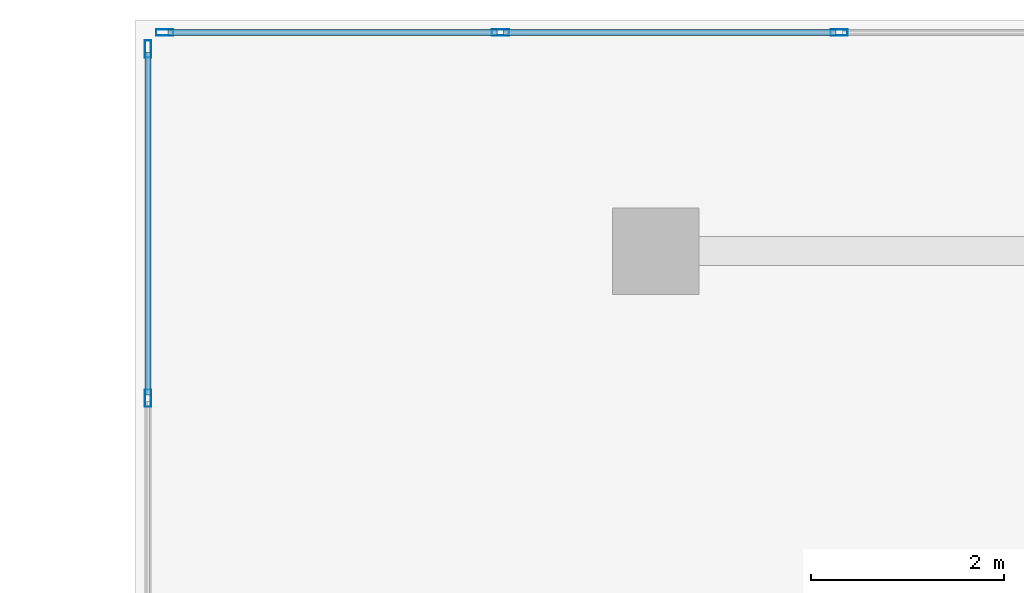
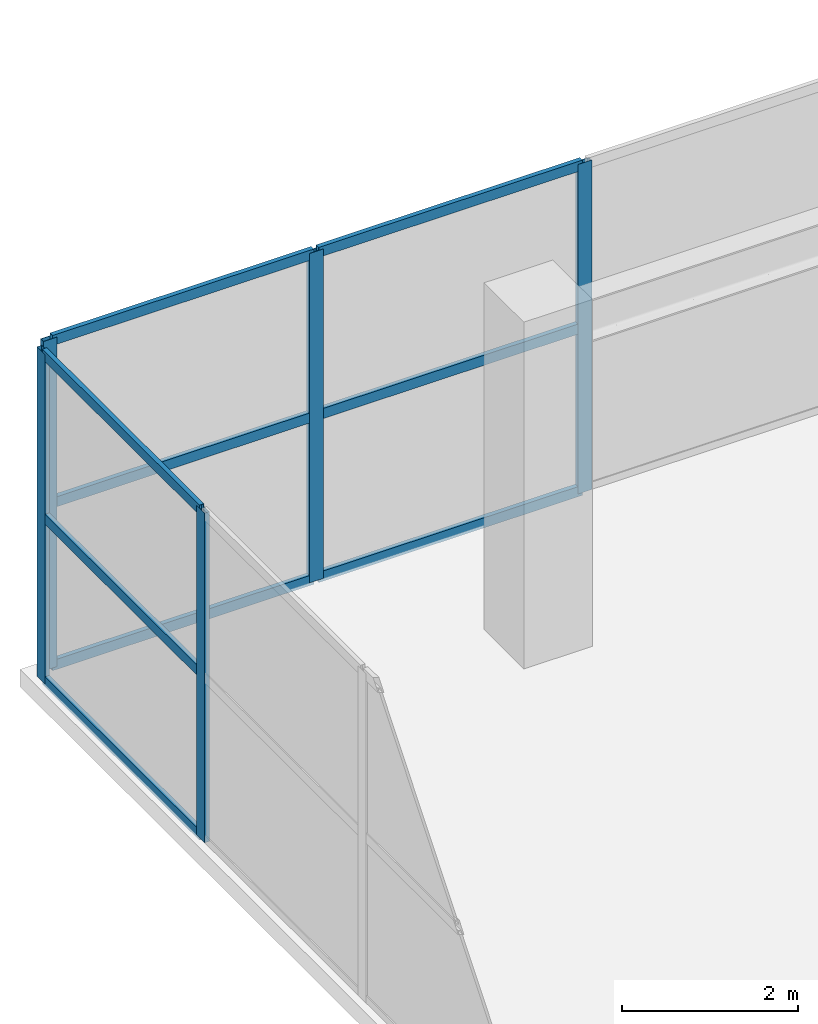
# One storey, part 11 of 31: 14 members, 2 elements without a shape of their own.
"""IFC4 building model written with IfcOpenShell, lengths in metres."""

import ifcopenshell
import ifcopenshell.guid

model = None  # the IFC model being written
_history = None  # IfcOwnerHistory: only IFC2X3 demands one
_inside = {}  # id of a spatial element -> (the spatial element, [elements in it])
_under = {}  # id of a project, library or spatial element -> (it, [spatial elements below it])
_declared = {}  # id of a project -> (the project, [libraries it declares])
_typed = {}  # id of a type object -> (the type object, [elements of that type])
_made_of = {}  # id of a material, layer set ... -> (it, [elements and type objects made of it])


def new_model(schema):
    """Start an empty IFC model of exactly this schema.

    Asked for "IFC4X3", IfcOpenShell would pick the latest addendum, in which some entities
    have other attributes; the version numbers below select the first issue.
    IFC2X3 requires an IfcOwnerHistory on every rooted entity: one is made here for all.
    """
    global model, _history
    if schema == "IFC4X3":
        model = ifcopenshell.file(schema_version=(4, 3, 0, 0))
    else:
        model = ifcopenshell.file(schema=schema)
    _inside.clear()
    _under.clear()
    _declared.clear()
    _typed.clear()
    _made_of.clear()
    _history = None
    if model.schema == "IFC2X3":
        org = make("IfcOrganization", Name="unknown")
        user = make(
            "IfcPersonAndOrganization",
            ThePerson=make("IfcPerson", FamilyName="unknown"),
            TheOrganization=org,
        )
        app = make(
            "IfcApplication",
            ApplicationDeveloper=org,
            Version="unknown",
            ApplicationFullName="unknown",
            ApplicationIdentifier="unknown",
        )
        _history = make(
            "IfcOwnerHistory",
            OwningUser=user,
            OwningApplication=app,
            ChangeAction="ADDED",
            CreationDate=0,
        )
    return model


def make(cls, **values):
    """One entity of the class cls with the attributes given. An attribute that is None is left unset."""
    return model.create_entity(
        cls, **{name: value for name, value in values.items() if value is not None}
    )


def rooted(cls, **values):
    """An entity with a GlobalId (a new one), such as an element, a storey or a relation."""
    return make(cls, GlobalId=ifcopenshell.guid.new(), OwnerHistory=_history, **values)


def si_unit(unit_type, name, prefix=None):
    """IfcSIUnit, for example si_unit("LENGTHUNIT", "METRE", prefix="MILLI")."""
    return make("IfcSIUnit", UnitType=unit_type, Prefix=prefix, Name=name)


def assignment(units):
    """IfcUnitAssignment: the units of a project."""
    return None if units is None else make("IfcUnitAssignment", Units=units)


def point(xyz):
    """IfcCartesianPoint."""
    return None if xyz is None else make("IfcCartesianPoint", Coordinates=xyz)


def direction(xyz):
    """IfcDirection."""
    return None if xyz is None else make("IfcDirection", DirectionRatios=xyz)


def frame(location, z_axis=None, x_axis=None):
    """IfcAxis2Placement3D, a coordinate frame: its origin and axes. An axis left out is left unset."""
    return make(
        "IfcAxis2Placement3D",
        Location=point(location),
        Axis=direction(z_axis),
        RefDirection=direction(x_axis),
    )


def frame_2d(location, x_axis=None):
    """IfcAxis2Placement2D, a coordinate frame in the plane: its origin and x axis."""
    return make(
        "IfcAxis2Placement2D", Location=point(location), RefDirection=direction(x_axis)
    )


def origin():
    """The frame at (0, 0, 0) with its axes left unset."""
    return frame((0.0, 0.0, 0.0))


def origin_2d():
    """The frame at (0, 0) in the plane with its x axis left unset."""
    return frame_2d((0.0, 0.0))


def place(relative_to, where):
    """IfcLocalPlacement: puts the frame where relative to a parent placement (None: the world)."""
    return make(
        "IfcLocalPlacement", PlacementRelTo=relative_to, RelativePlacement=where
    )


def context(
    kind, dimensions, precision=None, world=None, true_north=None, identifier=None
):
    """IfcGeometricRepresentationContext, for example the 3D "Model" context."""
    return make(
        "IfcGeometricRepresentationContext",
        ContextIdentifier=identifier,
        ContextType=kind,
        CoordinateSpaceDimension=dimensions,
        Precision=precision,
        WorldCoordinateSystem=world,
        TrueNorth=true_north,
    )


def subcontext(parent, identifier, kind, view, scale=None):
    """IfcGeometricRepresentationSubContext, for example "Body" below "Model"."""
    return make(
        "IfcGeometricRepresentationSubContext",
        ContextIdentifier=identifier,
        ContextType=kind,
        ParentContext=parent,
        TargetScale=scale,
        TargetView=view,
    )


def project(units=None, contexts=None):
    """IfcProject with its units and contexts."""
    return rooted(
        "IfcProject",
        Name="project",
        RepresentationContexts=contexts,
        UnitsInContext=assignment(units),
    )


def spatial(cls, under=None, at=None, **own):
    """A site, building, storey or space (cls), placed at a placement, below another one or the project."""
    s = rooted(cls, ObjectPlacement=at, **own)
    if under is not None:
        _under.setdefault(under.id(), (under, []))[1].append(s)
    return s


def profile(cls, at=None, kind="AREA", **sizes):
    """A parametric profile (cls). Its sizes go by their IFC names, for example OverallWidth=200.0."""
    return make(cls, ProfileType=kind, Position=at, **sizes)


def hollow_rectangle(**sizes):
    """IfcRectangleHollowProfileDef."""
    return profile("IfcRectangleHollowProfileDef", **sizes)


def extrude(swept, where, along, depth):
    """IfcExtrudedAreaSolid: the profile swept, set in the frame where, extruded along a direction by depth."""
    return make(
        "IfcExtrudedAreaSolid",
        SweptArea=swept,
        Position=where,
        ExtrudedDirection=direction(along),
        Depth=depth,
    )


def shape(context_of_items, identifier, shape_type, items):
    """IfcShapeRepresentation: the items that make up one representation, for example the "Body"."""
    return make(
        "IfcShapeRepresentation",
        ContextOfItems=context_of_items,
        RepresentationIdentifier=identifier,
        RepresentationType=shape_type,
        Items=items,
    )


def material(Name=None, Category=None):
    """IfcMaterial."""
    return make("IfcMaterial", Name=Name, Category=Category)


def layer(
    of_material, thickness, ventilated=None, Name=None, Category=None, Priority=None
):
    """IfcMaterialLayer: one layer of a wall or slab, of a material (None: an air gap)."""
    return make(
        "IfcMaterialLayer",
        Material=of_material,
        LayerThickness=thickness,
        IsVentilated=ventilated,
        Name=Name,
        Category=Category,
        Priority=Priority,
    )


def layer_set(layers, Name=None):
    """IfcMaterialLayerSet."""
    return make("IfcMaterialLayerSet", MaterialLayers=layers, LayerSetName=Name)


def material_profile(
    of_material, cross_section, Name=None, Category=None, Priority=None
):
    """IfcMaterialProfile: a cross section and its material."""
    return make(
        "IfcMaterialProfile",
        Name=Name,
        Material=of_material,
        Profile=cross_section,
        Priority=Priority,
        Category=Category,
    )


def profile_set(profiles, Name=None, composite=None):
    """IfcMaterialProfileSet."""
    return make(
        "IfcMaterialProfileSet",
        Name=Name,
        MaterialProfiles=profiles,
        CompositeProfile=composite,
    )


def made_of(thing, what):
    """Note that an element or type object is made of a material, layer set ...; save() writes the relation."""
    if what is not None:
        _made_of.setdefault(what.id(), (what, []))[1].append(thing)
    return thing


def type_object(cls, material=None, **own):
    """A type object (cls), such as IfcWallType, which elements share."""
    return made_of(rooted(cls, **own), material)


def element(
    cls,
    number,
    at=None,
    inside=None,
    cuts=None,
    type_object=None,
    material=None,
    context=None,
    identifier="Body",
    shape_type=None,
    held_by="IfcProductDefinitionShape",
    body=None,
    shapes=None,
    **own,
):
    """One element of the class cls, such as IfcWall. Its Tag is "e" and its number.

    at: its placement. inside: the storey or other place that contains it. cuts: it is an
    opening in that element (IfcRelVoidsElement). A single representation is given by context,
    identifier, shape_type and body (its items); several are given by shapes. held_by: the class
    of the entity that holds the representations. save() writes the other relations.
    """
    e = rooted(cls, Tag="e%d" % number, ObjectPlacement=at, **own)
    if body is not None:
        shapes = [shape(context, identifier, shape_type, body)]
    if shapes is not None:
        e.Representation = make(held_by, Representations=shapes)
    if inside is not None:
        _inside.setdefault(inside.id(), (inside, []))[1].append(e)
    if cuts is not None:
        rooted(
            "IfcRelVoidsElement", RelatingBuildingElement=cuts, RelatedOpeningElement=e
        )
    if type_object is not None:
        _typed.setdefault(type_object.id(), (type_object, []))[1].append(e)
    return made_of(e, material)


def aggregate(whole, parts):
    """IfcRelAggregates: a whole, such as a stair, and the parts it consists of."""
    return rooted("IfcRelAggregates", RelatingObject=whole, RelatedObjects=parts)


def save(model, path):
    """Write the relations noted so far, then the file.

    IfcRelAggregates (storeys below a building ...), IfcRelContainedInSpatialStructure (elements
    in a storey), IfcRelDefinesByType, IfcRelAssociatesMaterial and IfcRelDeclares: one each for
    every whole, place, type object, material and project.
    """
    for whole, parts in _under.values():
        aggregate(whole, parts)
    for where, things in _inside.values():
        rooted(
            "IfcRelContainedInSpatialStructure",
            RelatedElements=things,
            RelatingStructure=where,
        )
    for kind, things in _typed.values():
        rooted("IfcRelDefinesByType", RelatedObjects=things, RelatingType=kind)
    for what, things in _made_of.values():
        rooted("IfcRelAssociatesMaterial", RelatedObjects=things, RelatingMaterial=what)
    for by, libraries in _declared.values():
        rooted("IfcRelDeclares", RelatingContext=by, RelatedDefinitions=libraries)
    model.write(path)


model = new_model("IFC4")

# Units and contexts
model_context = context("Model", 3, precision=1e-05, world=origin(), true_north=direction((0.0, 1.0)))
body_context = subcontext(model_context, "Body", "Model", "MODEL_VIEW")
ifc_project = project(units=[si_unit("LENGTHUNIT", "METRE"), si_unit("AREAUNIT", "SQUARE_METRE"), si_unit("VOLUMEUNIT", "CUBIC_METRE"), si_unit("PLANEANGLEUNIT", "RADIAN"), si_unit("MASSUNIT", "GRAM", prefix="KILO")], contexts=[model_context])

# Site, building, storey
site_placement = place(None, origin())
site = spatial("IfcSite", under=ifc_project, at=site_placement, CompositionType="ELEMENT")
building_placement = place(site_placement, origin())
building = spatial("IfcBuilding", under=site, at=building_placement, Name="Haolan Belvedere Tower", CompositionType="ELEMENT")
storey_placement = place(building_placement, frame((0.0, 0.0, 5.39990234375)))
storey = spatial("IfcBuildingStorey", under=building, at=storey_placement, Name="L01", CompositionType="ELEMENT", Elevation=5.39990234375)

# Curtain wall, members
ifc_material_1 = material(Name="Anodised champagne-silver aluminium 6063-T6 and Low-E glass", Category="aluminium")
ifc_layer = layer(ifc_material_1, 0.179931640625, Name="Anodised champagne-silver aluminium 6063-T6 and Low-E glass")
ifc_layer_set = layer_set([ifc_layer], Name="Anodised champagne-silver aluminium 6063-T6 and Low-E glass")
curtain_wall_type = type_object("IfcCurtainWallType", Name="CW-SYS-01", PredefinedType="NOTDEFINED", material=ifc_layer_set)
curtain_wall_1_placement = place(storey_placement, origin())
curtain_wall_1 = element("IfcCurtainWall", 1, at=curtain_wall_1_placement, inside=storey, type_object=curtain_wall_type, Name="L01 CW-SYS-01 ribbon curtain wall 3.1", PredefinedType="NOTDEFINED")
ifc_material_2 = material(Name="Anodised aluminium 6063-T6", Category="aluminium")
ifc_material_profile_1 = material_profile(ifc_material_2, hollow_rectangle(XDim=0.06494140625, YDim=0.179931640625, WallThickness=0.00390625, at=origin_2d()), Name="Anodised aluminium 6063-T6")
ifc_profile_set_1 = profile_set([ifc_material_profile_1], Name="Anodised aluminium 6063-T6")
member_type_1 = type_object("IfcMemberType", Name="CW-SYS-01-MUL", PredefinedType="MULLION", material=ifc_profile_set_1)
member_1_placement = place(storey_placement, frame((8.50439453125, 53.8701171875, 0.0), z_axis=(0.0, 0.0, 1.0), x_axis=(0.0, -1.0, 0.0)))
member_1 = element("IfcMember", 2, at=member_1_placement, type_object=member_type_1, Name="CW-01 mullion 20", PredefinedType="MULLION", context=body_context, shape_type="SweptSolid", body=[
    extrude(hollow_rectangle(XDim=0.06494140625, YDim=0.179931640625, WallThickness=0.00390625, at=origin_2d()), origin(), (0.0, 0.0, 1.0), 4.56005859375),
])
member_2_placement = place(storey_placement, frame((4.987060546875, 53.8701171875, 0.0), z_axis=(0.0, 0.0, 1.0), x_axis=(0.0, -1.0, 0.0)))
member_2 = element("IfcMember", 3, at=member_2_placement, type_object=member_type_1, Name="CW-01 mullion 21", PredefinedType="MULLION", context=body_context, shape_type="SweptSolid", body=[
    extrude(hollow_rectangle(XDim=0.06494140625, YDim=0.179931640625, WallThickness=0.00390625, at=origin_2d()), origin(), (0.0, 0.0, 1.0), 4.56005859375),
])
member_3_placement = place(storey_placement, frame((1.50244140625, 53.8701171875, 0.0), z_axis=(0.0, 0.0, 1.0), x_axis=(0.0, -1.0, 0.0)))
member_3 = element("IfcMember", 4, at=member_3_placement, type_object=member_type_1, Name="CW-01 mullion 22", PredefinedType="MULLION", context=body_context, shape_type="SweptSolid", body=[
    extrude(hollow_rectangle(XDim=0.06494140625, YDim=0.179931640625, WallThickness=0.00390625, at=origin_2d()), origin(), (0.0, 0.0, 1.0), 4.56005859375),
])

curtain_wall_2_placement = place(storey_placement, origin())
curtain_wall_2 = element("IfcCurtainWall", 5, at=curtain_wall_2_placement, inside=storey, type_object=curtain_wall_type, Name="L01 CW-SYS-01 ribbon curtain wall 4.1", PredefinedType="NOTDEFINED")
member_4_placement = place(storey_placement, frame((1.330078125, 53.697509765625, 0.0), z_axis=(0.0, 0.0, 1.0), x_axis=(1.0, 0.0, 0.0)))
member_4 = element("IfcMember", 6, at=member_4_placement, type_object=member_type_1, Name="CW-01 mullion 1", PredefinedType="MULLION", context=body_context, shape_type="SweptSolid", body=[
    extrude(hollow_rectangle(XDim=0.06494140625, YDim=0.179931640625, WallThickness=0.00390625, at=origin_2d()), origin(), (0.0, 0.0, 1.0), 4.56005859375),
])
member_5_placement = place(storey_placement, frame((1.330078125, 50.073486328125, 0.0), z_axis=(0.0, 0.0, 1.0), x_axis=(1.0, 0.0, 0.0)))
member_5 = element("IfcMember", 7, at=member_5_placement, type_object=member_type_1, Name="CW-01 mullion 2", PredefinedType="MULLION", context=body_context, shape_type="SweptSolid", body=[
    extrude(hollow_rectangle(XDim=0.06494140625, YDim=0.179931640625, WallThickness=0.00390625, at=origin_2d()), origin(), (0.0, 0.0, 1.0), 4.56005859375),
])

# Member
ifc_material_profile_2 = material_profile(ifc_material_2, hollow_rectangle(XDim=0.06005859375, YDim=0.139892578125, WallThickness=0.00390625, at=origin_2d()), Name="Anodised aluminium 6063-T6")
ifc_profile_set_2 = profile_set([ifc_material_profile_2], Name="Anodised aluminium 6063-T6")
member_type_2 = type_object("IfcMemberType", Name="CW-SYS-01-TRN", PredefinedType="USERDEFINED", material=ifc_profile_set_2)
member_6_placement = place(storey_placement, frame((8.4716796875, 53.8701171875, 0.030029296875), z_axis=(-1.0, 0.0, 0.0), x_axis=(0.0, -1.0, 0.0)))
member_6 = element("IfcMember", 8, at=member_6_placement, type_object=member_type_2, Name="CW-01 transom 20.1", ObjectType="TRANSOM", PredefinedType="USERDEFINED", context=body_context, shape_type="SweptSolid", body=[
    extrude(hollow_rectangle(XDim=0.06005859375, YDim=0.139892578125, WallThickness=0.00390625, at=origin_2d()), origin(), (0.0, 0.0, 1.0), 3.4521484375),
])

member_7_placement = place(storey_placement, frame((8.4716796875, 53.8701171875, 2.280029296875), z_axis=(-1.0, 0.0, 0.0), x_axis=(0.0, -1.0, 0.0)))
member_7 = element("IfcMember", 9, at=member_7_placement, type_object=member_type_2, Name="CW-01 transom 20.2", ObjectType="TRANSOM", PredefinedType="USERDEFINED", context=body_context, shape_type="SweptSolid", body=[
    extrude(hollow_rectangle(XDim=0.06005859375, YDim=0.139892578125, WallThickness=0.00390625, at=origin_2d()), origin(), (0.0, 0.0, 1.0), 3.4521484375),
])

member_8_placement = place(storey_placement, frame((8.4716796875, 53.8701171875, 4.530029296875), z_axis=(-1.0, 0.0, 0.0), x_axis=(0.0, -1.0, 0.0)))
member_8 = element("IfcMember", 10, at=member_8_placement, type_object=member_type_2, Name="CW-01 transom 20.3", ObjectType="TRANSOM", PredefinedType="USERDEFINED", context=body_context, shape_type="SweptSolid", body=[
    extrude(hollow_rectangle(XDim=0.06005859375, YDim=0.139892578125, WallThickness=0.00390625, at=origin_2d()), origin(), (0.0, 0.0, 1.0), 3.4521484375),
])

member_9_placement = place(storey_placement, frame((4.95458984375, 53.8701171875, 0.030029296875), z_axis=(-1.0, 0.0, 0.0), x_axis=(0.0, -1.0, 0.0)))
member_9 = element("IfcMember", 11, at=member_9_placement, type_object=member_type_2, Name="CW-01 transom 21.1", ObjectType="TRANSOM", PredefinedType="USERDEFINED", context=body_context, shape_type="SweptSolid", body=[
    extrude(hollow_rectangle(XDim=0.06005859375, YDim=0.139892578125, WallThickness=0.00390625, at=origin_2d()), origin(), (0.0, 0.0, 1.0), 3.419677734375),
])

member_10_placement = place(storey_placement, frame((4.95458984375, 53.8701171875, 2.280029296875), z_axis=(-1.0, 0.0, 0.0), x_axis=(0.0, -1.0, 0.0)))
member_10 = element("IfcMember", 12, at=member_10_placement, type_object=member_type_2, Name="CW-01 transom 21.2", ObjectType="TRANSOM", PredefinedType="USERDEFINED", context=body_context, shape_type="SweptSolid", body=[
    extrude(hollow_rectangle(XDim=0.06005859375, YDim=0.139892578125, WallThickness=0.00390625, at=origin_2d()), origin(), (0.0, 0.0, 1.0), 3.419677734375),
])

member_11_placement = place(storey_placement, frame((4.95458984375, 53.8701171875, 4.530029296875), z_axis=(-1.0, 0.0, 0.0), x_axis=(0.0, -1.0, 0.0)))
member_11 = element("IfcMember", 13, at=member_11_placement, type_object=member_type_2, Name="CW-01 transom 21.3", ObjectType="TRANSOM", PredefinedType="USERDEFINED", context=body_context, shape_type="SweptSolid", body=[
    extrude(hollow_rectangle(XDim=0.06005859375, YDim=0.139892578125, WallThickness=0.00390625, at=origin_2d()), origin(), (0.0, 0.0, 1.0), 3.419677734375),
])

aggregate(curtain_wall_1, [member_1, member_2, member_3, member_6, member_7, member_8, member_9, member_10, member_11])

member_12_placement = place(storey_placement, frame((1.330078125, 53.6650390625, 0.030029296875), z_axis=(0.0, -1.0, 0.0), x_axis=(1.0, 0.0, 0.0)))
member_12 = element("IfcMember", 14, at=member_12_placement, type_object=member_type_2, Name="CW-01 transom 1.1", ObjectType="TRANSOM", PredefinedType="USERDEFINED", context=body_context, shape_type="SweptSolid", body=[
    extrude(hollow_rectangle(XDim=0.06005859375, YDim=0.139892578125, WallThickness=0.00390625, at=origin_2d()), origin(), (0.0, 0.0, 1.0), 3.55908203125),
])

member_13_placement = place(storey_placement, frame((1.330078125, 53.6650390625, 2.280029296875), z_axis=(0.0, -1.0, 0.0), x_axis=(1.0, 0.0, 0.0)))
member_13 = element("IfcMember", 15, at=member_13_placement, type_object=member_type_2, Name="CW-01 transom 1.2", ObjectType="TRANSOM", PredefinedType="USERDEFINED", context=body_context, shape_type="SweptSolid", body=[
    extrude(hollow_rectangle(XDim=0.06005859375, YDim=0.139892578125, WallThickness=0.00390625, at=origin_2d()), origin(), (0.0, 0.0, 1.0), 3.55908203125),
])

member_14_placement = place(storey_placement, frame((1.330078125, 53.6650390625, 4.530029296875), z_axis=(0.0, -1.0, 0.0), x_axis=(1.0, 0.0, 0.0)))
member_14 = element("IfcMember", 16, at=member_14_placement, type_object=member_type_2, Name="CW-01 transom 1.3", ObjectType="TRANSOM", PredefinedType="USERDEFINED", context=body_context, shape_type="SweptSolid", body=[
    extrude(hollow_rectangle(XDim=0.06005859375, YDim=0.139892578125, WallThickness=0.00390625, at=origin_2d()), origin(), (0.0, 0.0, 1.0), 3.55908203125),
])

aggregate(curtain_wall_2, [member_4, member_5, member_12, member_13, member_14])

save(model, "model.ifc")
